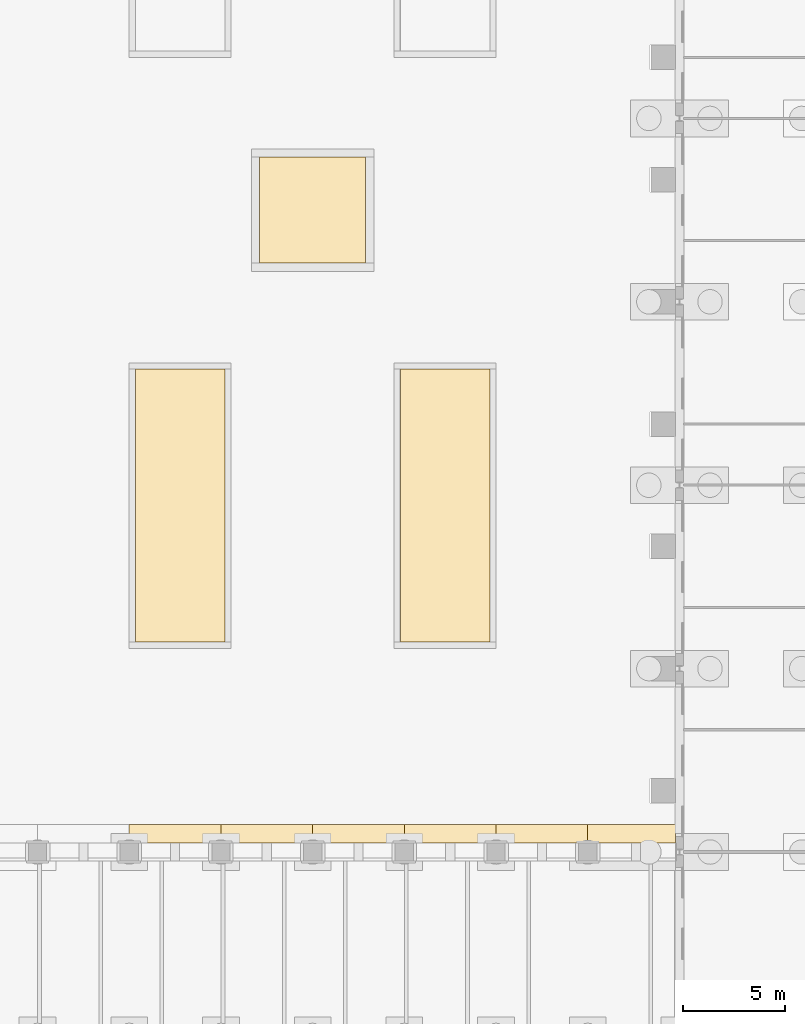
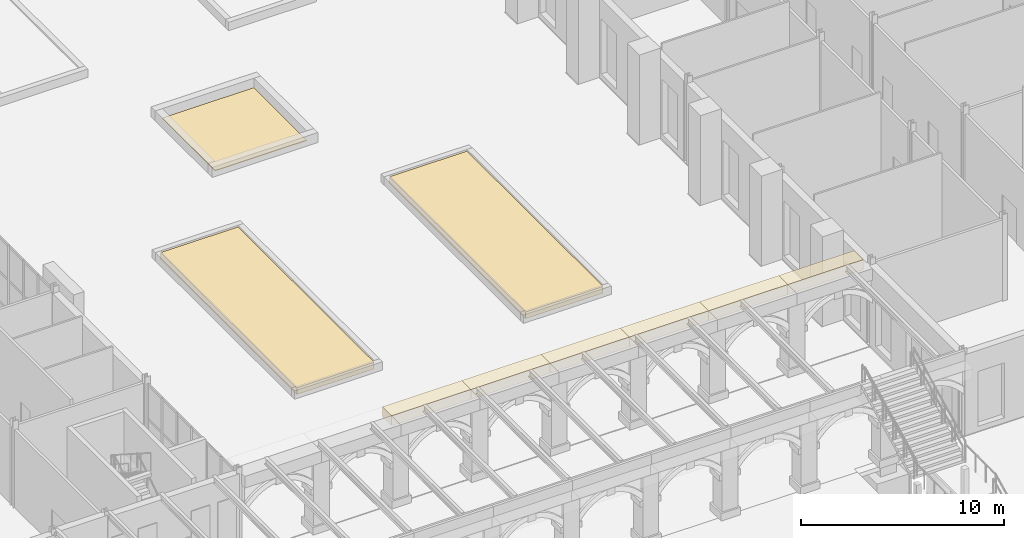
# One storey, part 153 of 168: 9 coverings.
"""IFC4 building model written with IfcOpenShell, lengths in metres."""

from ifc_helpers import new_model, si_unit, direction, frame, origin, origin_2d, place, context, subcontext, project, spatial, polyline, rectangle, outline, extrude, material, layer, layer_set, material_profile, profile_set, type_object, element, save


model = new_model("IFC4")

# Units and contexts
model_context = context("Model", 3, precision=1e-05, world=origin(), true_north=direction((0.0, 1.0)))
body_context = subcontext(model_context, "Body", "Model", "MODEL_VIEW")
ifc_project = project(units=[si_unit("LENGTHUNIT", "METRE"), si_unit("AREAUNIT", "SQUARE_METRE"), si_unit("VOLUMEUNIT", "CUBIC_METRE"), si_unit("PLANEANGLEUNIT", "RADIAN"), si_unit("MASSUNIT", "GRAM", prefix="KILO")], contexts=[model_context])

# Site, building, storey
site_placement = place(None, origin())
site = spatial("IfcSite", under=ifc_project, at=site_placement, CompositionType="ELEMENT")
building_placement = place(site_placement, origin())
building = spatial("IfcBuilding", under=site, at=building_placement, Name="Golden Quay Civic Hall", CompositionType="ELEMENT")
storey_placement = place(building_placement, origin())
storey = spatial("IfcBuildingStorey", under=building, at=storey_placement, Name="L00", CompositionType="ELEMENT", Elevation=0.0)

# Coverings
ifc_material_1 = material(Name="Ceramic tile")
ifc_layer_1 = layer(ifc_material_1, 0.0400390625)
ifc_layer_set_1 = layer_set([ifc_layer_1], Name="Basin lining 40")
covering_type_1 = type_object("IfcCoveringType", Name="Basin lining 40", PredefinedType="FLOORING", material=ifc_layer_set_1)
covering_1_placement = place(storey_placement, origin())
element("IfcCovering", 1, at=covering_1_placement, inside=storey, type_object=covering_type_1, Name="Fountain basin lining East Court", PredefinedType="FLOORING", context=body_context, shape_type="SweptSolid", body=[
    extrude(outline(polyline([(132.39990234375, 28.89990234375), (137.60009765625, 28.89990234375), (137.60009765625, 34.10009765625), (132.39990234375, 34.10009765625), (132.39990234375, 28.89990234375)])), origin(), (0.0, 0.0, 1.0), 0.0400390625),
])
ifc_material_2 = material(Name="Planting soil")
ifc_layer_2 = layer(ifc_material_2, 0.39990234375)
ifc_layer_set_2 = layer_set([ifc_layer_2], Name="Planting soil 400")
covering_type_2 = type_object("IfcCoveringType", Name="Planting soil 400", PredefinedType="FLOORING", material=ifc_layer_set_2)
covering_2_placement = place(storey_placement, origin())
element("IfcCovering", 2, at=covering_2_placement, inside=storey, type_object=covering_type_2, Name="Court planting East Court 1", PredefinedType="FLOORING", context=body_context, shape_type="SweptSolid", body=[
    extrude(outline(polyline([(126.300048828125, 10.300048828125), (130.699951171875, 10.300048828125), (130.699951171875, 23.699951171875), (126.300048828125, 23.699951171875), (126.300048828125, 10.300048828125)])), origin(), (0.0, 0.0, 1.0), 0.39990234375),
])
covering_3_placement = place(storey_placement, origin())
element("IfcCovering", 3, at=covering_3_placement, inside=storey, type_object=covering_type_2, Name="Court planting East Court 3", PredefinedType="FLOORING", context=body_context, shape_type="SweptSolid", body=[
    extrude(outline(polyline([(139.300048828125, 10.300048828125), (143.699951171875, 10.300048828125), (143.699951171875, 23.699951171875), (139.300048828125, 23.699951171875), (139.300048828125, 10.300048828125)])), origin(), (0.0, 0.0, 1.0), 0.39990234375),
])
ifc_material_3 = material(Name="Stone, buff limestone", Category="masonry")
ifc_material_profile = material_profile(ifc_material_3, rectangle(XDim=0.89990234375, YDim=0.60009765625, at=origin_2d()), Name="RC 900x600")
ifc_profile_set = profile_set([ifc_material_profile], Name="Stone, buff limestone")
covering_type_3 = type_object("IfcCoveringType", Name="Stone cornice 900 x 600", PredefinedType="MOLDING", material=ifc_profile_set)
for number, where, z_axis, x_axis, name in (
    (4, (126.0, 0.89990234375, 4.5), (1.0, 0.0, 0.0), (0.0, 1.0, 0.0), "Stone cornice inner1 bay 3"),
    (5, (130.5, 0.89990234375, 4.5), (1.0, 0.0, 0.0), (0.0, 1.0, 0.0), "Stone cornice inner1 bay 4"),
    (6, (135.0, 0.89990234375, 4.5), (1.0, 0.0, 0.0), (0.0, 1.0, 0.0), "Stone cornice inner1 bay 5"),
    (7, (139.5, 0.89990234375, 4.5), (1.0, 0.0, 0.0), (0.0, 1.0, 0.0), "Stone cornice inner1 bay 6"),
    (8, (144.0, 0.89990234375, 4.5), (1.0, 0.0, 0.0), (0.0, 1.0, 0.0), "Stone cornice inner1 bay 7"),
):
    element("IfcCovering", number, at=place(storey_placement, frame(where, z_axis=z_axis, x_axis=x_axis)), inside=storey, type_object=covering_type_3, Name=name, PredefinedType="MOLDING", context=body_context, shape_type="SweptSolid", body=[
        extrude(rectangle(XDim=0.89990234375, YDim=0.60009765625, at=origin_2d()), origin(), (0.0, 0.0, 1.0), 4.5),
    ])
covering_4_placement = place(storey_placement, frame((148.5, 0.89990234375, 4.5), z_axis=(1.0, 0.0, 0.0), x_axis=(0.0, 1.0, 0.0)))
element("IfcCovering", 9, at=covering_4_placement, inside=storey, type_object=covering_type_3, Name="Stone cornice inner1 bay 8", PredefinedType="MOLDING", context=body_context, shape_type="SweptSolid", body=[
    extrude(rectangle(XDim=0.89990234375, YDim=0.60009765625, at=origin_2d()), origin(), (0.0, 0.0, 1.0), 4.300048828125),
])

save(model, "model.ifc")
